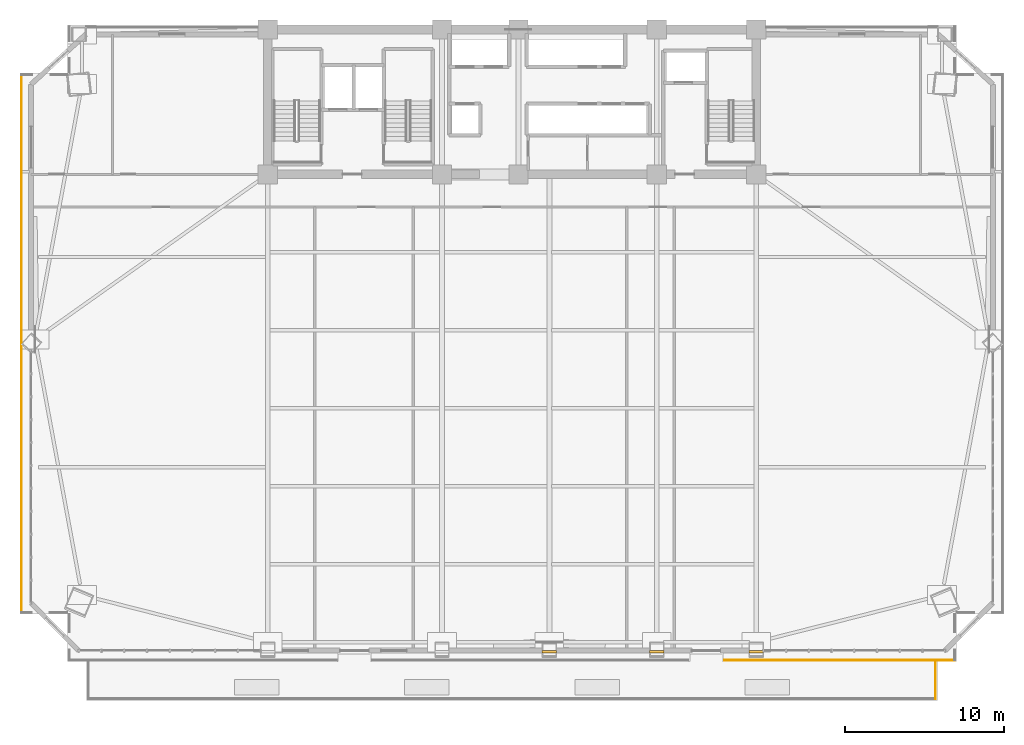
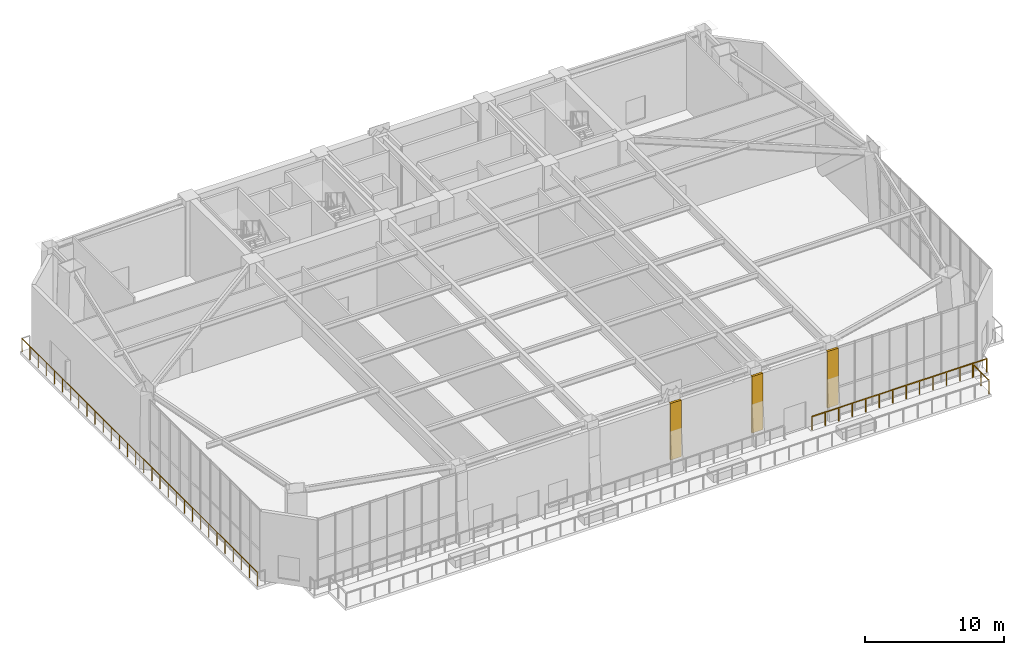
# One storey, part 19 of 22: 3 coverings, 3 railings.
"""IFC4 building model written with IfcOpenShell, lengths in metres."""

from ifc_helpers import new_model, si_unit, direction, frame, origin, origin_2d, place, context, subcontext, project, spatial, polyline, rectangle, outline, extrude, material, layer, layer_set, type_object, element, save


model = new_model("IFC4")

# Units and contexts
model_context = context("Model", 3, precision=1e-05, world=origin(), true_north=direction((0.0, 1.0)))
body_context = subcontext(model_context, "Body", "Model", "MODEL_VIEW")
ifc_project = project(units=[si_unit("LENGTHUNIT", "METRE"), si_unit("AREAUNIT", "SQUARE_METRE"), si_unit("VOLUMEUNIT", "CUBIC_METRE"), si_unit("PLANEANGLEUNIT", "RADIAN"), si_unit("MASSUNIT", "GRAM", prefix="KILO")], contexts=[model_context])

# Site, building, storey
site_placement = place(None, origin())
site = spatial("IfcSite", under=ifc_project, at=site_placement, CompositionType="ELEMENT")
building_placement = place(site_placement, origin())
building = spatial("IfcBuilding", under=site, at=building_placement, Name="Giltprow Tower", CompositionType="ELEMENT")
storey_placement = place(building_placement, frame((0.0, 0.0, 130.89990234375)))
storey = spatial("IfcBuildingStorey", under=building, at=storey_placement, Name="L32", CompositionType="ELEMENT", Elevation=130.89990234375)

# Coverings
ifc_material = material(Name="Anodized bronze", Category="metal")
ifc_layer = layer(ifc_material, 0.0400390625, Name="Anodized bronze")
ifc_layer_set = layer_set([ifc_layer], Name="Anodized bronze")
covering_type = type_object("IfcCoveringType", Name="COV-SOFFIT-BRONZE", PredefinedType="CLADDING", material=ifc_layer_set)
covering_1_placement = place(storey_placement, frame((0.0, 0.0, 1.10009765625)))
element("IfcCovering", 1, at=covering_1_placement, inside=storey, type_object=covering_type, Name="L32 Setback Pier Closure Cladding S-3", PredefinedType="CLADDING", context=body_context, shape_type="SweptSolid", body=[
    extrude(outline(polyline([(37.10009765625, 7.35791015625), (38.0, 7.35791015625), (38.0, 7.5380859375), (37.10009765625, 7.5380859375), (37.10009765625, 7.35791015625)])), origin(), (0.0, 0.0, 1.0), 4.949951171875),
])
covering_2_placement = place(storey_placement, frame((0.0, 0.0, 1.10009765625)))
element("IfcCovering", 2, at=covering_2_placement, inside=storey, type_object=covering_type, Name="L32 Setback Pier Closure Cladding S-4", PredefinedType="CLADDING", context=body_context, shape_type="SweptSolid", body=[
    extrude(outline(polyline([(43.85009765625, 7.35791015625), (44.75, 7.35791015625), (44.75, 7.5380859375), (43.85009765625, 7.5380859375), (43.85009765625, 7.35791015625)])), origin(), (0.0, 0.0, 1.0), 4.949951171875),
])
covering_3_placement = place(storey_placement, frame((0.0, 0.0, 1.10009765625)))
element("IfcCovering", 3, at=covering_3_placement, inside=storey, type_object=covering_type, Name="L32 Setback Pier Closure Cladding S-5", PredefinedType="CLADDING", context=body_context, shape_type="SweptSolid", body=[
    extrude(outline(polyline([(50.10009765625, 7.35791015625), (51.0, 7.35791015625), (51.0, 7.5380859375), (50.10009765625, 7.5380859375), (50.10009765625, 7.35791015625)])), origin(), (0.0, 0.0, 1.0), 4.949951171875),
])

# Railings
railing_type_1 = type_object("IfcRailingType", Name="RAIL-BALC-GUARD-1200", PredefinedType="BALUSTRADE", material=ifc_material)
railing_1_placement = place(storey_placement, frame((4.37890625, 9.908935546875, 0.0)))
element("IfcRailing", 4, at=railing_1_placement, inside=storey, type_object=railing_type_1, Name="L32 Corner Apron Edge Balustrade 5", PredefinedType="BALUSTRADE", context=body_context, shape_type="SweptSolid", body=[
    extrude(rectangle(XDim=0.048095703125, YDim=0.048095703125, at=origin_2d()), frame((0.0, 0.0, 1.17578125), z_axis=(0.0, 1.0, 0.0), x_axis=(-1.0, 0.0, 0.0)), (0.0, 0.0, 1.0), 33.800048828125),
    extrude(rectangle(XDim=0.0419921875, YDim=0.0419921875, at=origin_2d()), origin(), (0.0, 0.0, 1.0), 1.15185546875),
    extrude(rectangle(XDim=0.0419921875, YDim=0.0419921875, at=origin_2d()), frame((0.0, 1.16552734375, 0.0)), (0.0, 0.0, 1.0), 1.15185546875),
    extrude(rectangle(XDim=0.0419921875, YDim=0.0419921875, at=origin_2d()), frame((0.0, 2.3310546875, 0.0)), (0.0, 0.0, 1.0), 1.15185546875),
    extrude(rectangle(XDim=0.0419921875, YDim=0.0419921875, at=origin_2d()), frame((0.0, 3.49658203125, 0.0)), (0.0, 0.0, 1.0), 1.15185546875),
    extrude(rectangle(XDim=0.0419921875, YDim=0.0419921875, at=origin_2d()), frame((0.0, 4.662109375, 0.0)), (0.0, 0.0, 1.0), 1.15185546875),
    extrude(rectangle(XDim=0.0419921875, YDim=0.0419921875, at=origin_2d()), frame((0.0, 5.82763671875, 0.0)), (0.0, 0.0, 1.0), 1.15185546875),
    extrude(rectangle(XDim=0.0419921875, YDim=0.0419921875, at=origin_2d()), frame((0.0, 6.9931640625, 0.0)), (0.0, 0.0, 1.0), 1.15185546875),
    extrude(rectangle(XDim=0.0419921875, YDim=0.0419921875, at=origin_2d()), frame((0.0, 8.15869140625, 0.0)), (0.0, 0.0, 1.0), 1.15185546875),
    extrude(rectangle(XDim=0.0419921875, YDim=0.0419921875, at=origin_2d()), frame((0.0, 9.32421875, 0.0)), (0.0, 0.0, 1.0), 1.15185546875),
    extrude(rectangle(XDim=0.0419921875, YDim=0.0419921875, at=origin_2d()), frame((0.0, 10.48974609375, 0.0)), (0.0, 0.0, 1.0), 1.15185546875),
    extrude(rectangle(XDim=0.0419921875, YDim=0.0419921875, at=origin_2d()), frame((0.0, 11.6552734375, 0.0)), (0.0, 0.0, 1.0), 1.15185546875),
    extrude(rectangle(XDim=0.0419921875, YDim=0.0419921875, at=origin_2d()), frame((0.0, 12.82080078125, 0.0)), (0.0, 0.0, 1.0), 1.15185546875),
    extrude(rectangle(XDim=0.0419921875, YDim=0.0419921875, at=origin_2d()), frame((0.0, 13.986328125, 0.0)), (0.0, 0.0, 1.0), 1.15185546875),
    extrude(rectangle(XDim=0.0419921875, YDim=0.0419921875, at=origin_2d()), frame((0.0, 15.15185546875, 0.0)), (0.0, 0.0, 1.0), 1.15185546875),
    extrude(rectangle(XDim=0.0419921875, YDim=0.0419921875, at=origin_2d()), frame((0.0, 16.3173828125, 0.0)), (0.0, 0.0, 1.0), 1.15185546875),
    extrude(rectangle(XDim=0.0419921875, YDim=0.0419921875, at=origin_2d()), frame((0.0, 17.482666015625, 0.0)), (0.0, 0.0, 1.0), 1.15185546875),
    extrude(rectangle(XDim=0.0419921875, YDim=0.0419921875, at=origin_2d()), frame((0.0, 18.648193359375, 0.0)), (0.0, 0.0, 1.0), 1.15185546875),
    extrude(rectangle(XDim=0.0419921875, YDim=0.0419921875, at=origin_2d()), frame((0.0, 19.813720703125, 0.0)), (0.0, 0.0, 1.0), 1.15185546875),
    extrude(rectangle(XDim=0.0419921875, YDim=0.0419921875, at=origin_2d()), frame((0.0, 20.979248046875, 0.0)), (0.0, 0.0, 1.0), 1.15185546875),
    extrude(rectangle(XDim=0.0419921875, YDim=0.0419921875, at=origin_2d()), frame((0.0, 22.144775390625, 0.0)), (0.0, 0.0, 1.0), 1.15185546875),
    extrude(rectangle(XDim=0.0419921875, YDim=0.0419921875, at=origin_2d()), frame((0.0, 23.310302734375, 0.0)), (0.0, 0.0, 1.0), 1.15185546875),
    extrude(rectangle(XDim=0.0419921875, YDim=0.0419921875, at=origin_2d()), frame((0.0, 24.475830078125, 0.0)), (0.0, 0.0, 1.0), 1.15185546875),
    extrude(rectangle(XDim=0.0419921875, YDim=0.0419921875, at=origin_2d()), frame((0.0, 25.641357421875, 0.0)), (0.0, 0.0, 1.0), 1.15185546875),
    extrude(rectangle(XDim=0.0419921875, YDim=0.0419921875, at=origin_2d()), frame((0.0, 26.806884765625, 0.0)), (0.0, 0.0, 1.0), 1.15185546875),
    extrude(rectangle(XDim=0.0419921875, YDim=0.0419921875, at=origin_2d()), frame((0.0, 27.972412109375, 0.0)), (0.0, 0.0, 1.0), 1.15185546875),
    extrude(rectangle(XDim=0.0419921875, YDim=0.0419921875, at=origin_2d()), frame((0.0, 29.137939453125, 0.0)), (0.0, 0.0, 1.0), 1.15185546875),
    extrude(rectangle(XDim=0.0419921875, YDim=0.0419921875, at=origin_2d()), frame((0.0, 30.303466796875, 0.0)), (0.0, 0.0, 1.0), 1.15185546875),
    extrude(rectangle(XDim=0.0419921875, YDim=0.0419921875, at=origin_2d()), frame((0.0, 31.468994140625, 0.0)), (0.0, 0.0, 1.0), 1.15185546875),
    extrude(rectangle(XDim=0.0419921875, YDim=0.0419921875, at=origin_2d()), frame((0.0, 32.634521484375, 0.0)), (0.0, 0.0, 1.0), 1.15185546875),
    extrude(rectangle(XDim=0.0419921875, YDim=0.0419921875, at=origin_2d()), frame((0.0, 33.800048828125, 0.0)), (0.0, 0.0, 1.0), 1.15185546875),
])
railing_2_placement = place(storey_placement, frame((63.030029296875, 6.91796875, 0.0)))
element("IfcRailing", 5, at=railing_2_placement, inside=storey, type_object=railing_type_1, Name="L32 Corner Apron Edge Balustrade 21", PredefinedType="BALUSTRADE", context=body_context, shape_type="SweptSolid", body=[
    extrude(rectangle(XDim=0.048095703125, YDim=0.048095703125, at=origin_2d()), frame((0.0, 0.0, 1.17578125), z_axis=(-1.0, 0.0, 0.0), x_axis=(0.0, -1.0, 0.0)), (0.0, 0.0, 1.0), 14.47998046875),
    extrude(rectangle(XDim=0.0419921875, YDim=0.0419921875, at=origin_2d()), origin(), (0.0, 0.0, 1.0), 1.15185546875),
    extrude(rectangle(XDim=0.0419921875, YDim=0.0419921875, at=origin_2d()), frame((-1.11376953125, 0.0, 0.0)), (0.0, 0.0, 1.0), 1.15185546875),
    extrude(rectangle(XDim=0.0419921875, YDim=0.0419921875, at=origin_2d()), frame((-2.227783203125, 0.0, 0.0)), (0.0, 0.0, 1.0), 1.15185546875),
    extrude(rectangle(XDim=0.0419921875, YDim=0.0419921875, at=origin_2d()), frame((-3.341552734375, 0.0, 0.0)), (0.0, 0.0, 1.0), 1.15185546875),
    extrude(rectangle(XDim=0.0419921875, YDim=0.0419921875, at=origin_2d()), frame((-4.455322265625, 0.0, 0.0)), (0.0, 0.0, 1.0), 1.15185546875),
    extrude(rectangle(XDim=0.0419921875, YDim=0.0419921875, at=origin_2d()), frame((-5.5693359375, 0.0, 0.0)), (0.0, 0.0, 1.0), 1.15185546875),
    extrude(rectangle(XDim=0.0419921875, YDim=0.0419921875, at=origin_2d()), frame((-6.68310546875, 0.0, 0.0)), (0.0, 0.0, 1.0), 1.15185546875),
    extrude(rectangle(XDim=0.0419921875, YDim=0.0419921875, at=origin_2d()), frame((-7.796875, 0.0, 0.0)), (0.0, 0.0, 1.0), 1.15185546875),
    extrude(rectangle(XDim=0.0419921875, YDim=0.0419921875, at=origin_2d()), frame((-8.91064453125, 0.0, 0.0)), (0.0, 0.0, 1.0), 1.15185546875),
    extrude(rectangle(XDim=0.0419921875, YDim=0.0419921875, at=origin_2d()), frame((-10.024658203125, 0.0, 0.0)), (0.0, 0.0, 1.0), 1.15185546875),
    extrude(rectangle(XDim=0.0419921875, YDim=0.0419921875, at=origin_2d()), frame((-11.138427734375, 0.0, 0.0)), (0.0, 0.0, 1.0), 1.15185546875),
    extrude(rectangle(XDim=0.0419921875, YDim=0.0419921875, at=origin_2d()), frame((-12.252197265625, 0.0, 0.0)), (0.0, 0.0, 1.0), 1.15185546875),
    extrude(rectangle(XDim=0.0419921875, YDim=0.0419921875, at=origin_2d()), frame((-13.3662109375, 0.0, 0.0)), (0.0, 0.0, 1.0), 1.15185546875),
    extrude(rectangle(XDim=0.0419921875, YDim=0.0419921875, at=origin_2d()), frame((-14.47998046875, 0.0, 0.0)), (0.0, 0.0, 1.0), 1.15185546875),
])
railing_type_2 = type_object("IfcRailingType", Name="RAIL-TERR-BAL-1200", PredefinedType="BALUSTRADE", material=ifc_material)
railing_3_placement = place(storey_placement, frame((61.81005859375, 4.488037109375, 0.0)))
element("IfcRailing", 6, at=railing_3_placement, inside=storey, type_object=railing_type_2, Name="L32 Sky Garden Guardrail Seg 3", PredefinedType="BALUSTRADE", context=body_context, shape_type="SweptSolid", body=[
    extrude(rectangle(XDim=0.048095703125, YDim=0.048095703125, at=origin_2d()), frame((0.0, 0.0, 1.17578125), z_axis=(0.0, 1.0, 0.0), x_axis=(-1.0, 0.0, 0.0)), (0.0, 0.0, 1.0), 2.330078125),
    extrude(rectangle(XDim=0.0419921875, YDim=0.0419921875, at=origin_2d()), origin(), (0.0, 0.0, 1.0), 1.15185546875),
    extrude(rectangle(XDim=0.0419921875, YDim=0.0419921875, at=origin_2d()), frame((0.0, 1.1650390625, 0.0)), (0.0, 0.0, 1.0), 1.15185546875),
    extrude(rectangle(XDim=0.0419921875, YDim=0.0419921875, at=origin_2d()), frame((0.0, 2.330078125, 0.0)), (0.0, 0.0, 1.0), 1.15185546875),
])

save(model, "model.ifc")
